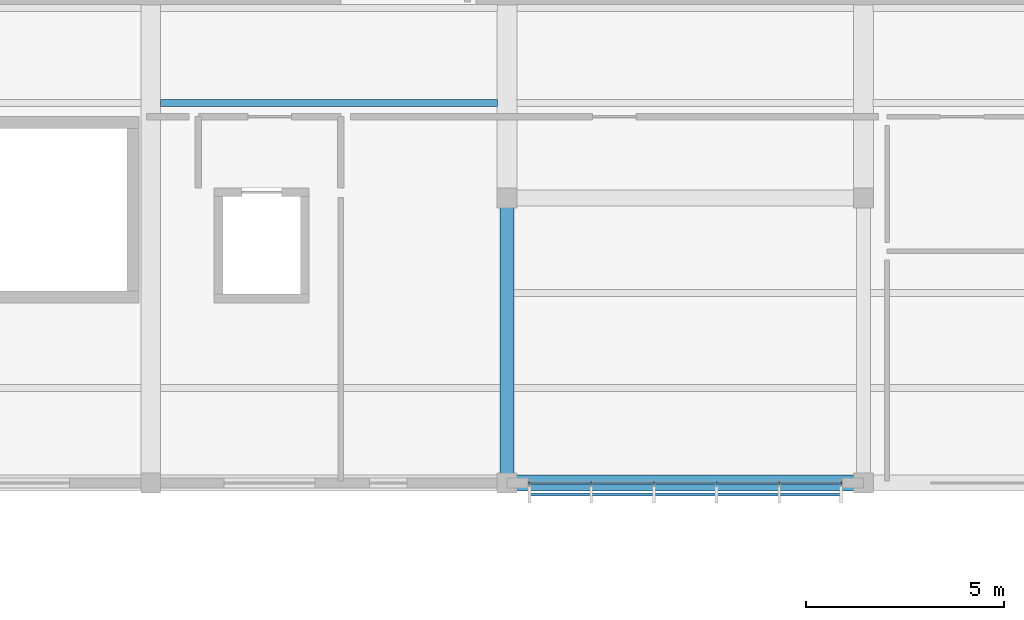
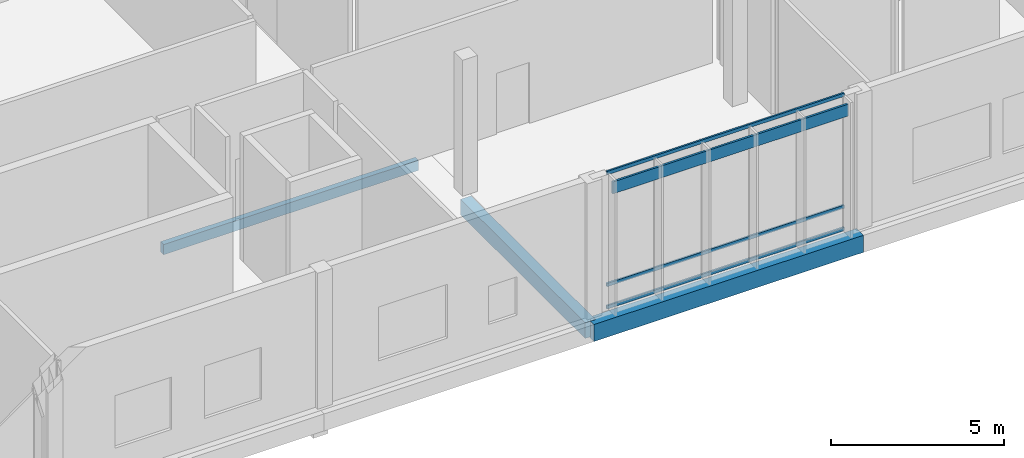
# One storey, part 46 of 177: 4 members, 3 beams, 1 element without a shape of its own.
"""IFC4 building model written with IfcOpenShell, lengths in metres."""

from ifc_helpers import new_model, si_unit, direction, frame, origin, origin_2d, place, context, subcontext, project, spatial, rectangle, hollow_rectangle, extrude, material, material_profile, profile_set, type_object, element, aggregate, save


model = new_model("IFC4")

# Units and contexts
model_context = context("Model", 3, precision=1e-05, world=origin(), true_north=direction((0.0, 1.0)))
body_context = subcontext(model_context, "Body", "Model", "MODEL_VIEW")
ifc_project = project(units=[si_unit("LENGTHUNIT", "METRE"), si_unit("AREAUNIT", "SQUARE_METRE"), si_unit("VOLUMEUNIT", "CUBIC_METRE"), si_unit("PLANEANGLEUNIT", "RADIAN"), si_unit("MASSUNIT", "GRAM", prefix="KILO")], contexts=[model_context])

# Site, building, storey
site_placement = place(None, origin())
site = spatial("IfcSite", under=ifc_project, at=site_placement, CompositionType="ELEMENT")
building_placement = place(site_placement, origin())
building = spatial("IfcBuilding", under=site, at=building_placement, Name="Chiffa Square Polytechnic", CompositionType="ELEMENT")
storey_placement = place(building_placement, frame((0.0, 0.0, 4.800048828125)))
storey = spatial("IfcBuildingStorey", under=building, at=storey_placement, Name="L01", CompositionType="ELEMENT", Elevation=4.800048828125)

# Beams
ifc_material_1 = material(Name="Concrete C35/45", Category="concrete")
ifc_material_profile_1 = material_profile(ifc_material_1, rectangle(XDim=0.35009765625, YDim=0.550048828125, at=origin_2d()), Name="RC 350x550")
ifc_profile_set_1 = profile_set([ifc_material_profile_1], Name="Concrete C35/45")
beam_type_1 = type_object("IfcBeamType", Name="BM-RC-350X550", PredefinedType="BEAM", material=ifc_profile_set_1)
beam_1_placement = place(storey_placement, frame((75.60009765625, 21.60009765625, -0.554931640625), z_axis=(0.0, 1.0, 0.0), x_axis=(-1.0, 0.0, 0.0)))
element("IfcBeam", 1, at=beam_1_placement, inside=storey, type_object=beam_type_1, Name="Primary floor girder BM-V4-L01-Y-0756-0216", PredefinedType="BEAM", context=body_context, shape_type="SweptSolid", body=[
    extrude(rectangle(XDim=0.35009765625, YDim=0.550048828125, at=origin_2d()), origin(), (0.0, 0.0, 1.0), 7.199951171875),
])
ifc_material_profile_2 = material_profile(ifc_material_1, rectangle(XDim=0.39990234375, YDim=0.60009765625, at=origin_2d()), Name="RC 400x600")
ifc_profile_set_2 = profile_set([ifc_material_profile_2], Name="Concrete C35/45")
beam_type_2 = type_object("IfcBeamType", Name="BM-RC-400X600", PredefinedType="BEAM", material=ifc_profile_set_2)
beam_2_placement = place(storey_placement, frame((75.60009765625, 21.60009765625, -0.580078125), z_axis=(1.0, 0.0, 0.0), x_axis=(0.0, 1.0, 0.0)))
element("IfcBeam", 2, at=beam_2_placement, inside=storey, type_object=beam_type_2, Name="Primary floor girder BM-V4-L01-X-0756-0216", PredefinedType="BEAM", context=body_context, shape_type="SweptSolid", body=[
    extrude(rectangle(XDim=0.39990234375, YDim=0.60009765625, at=origin_2d()), origin(), (0.0, 0.0, 1.0), 9.0),
])

# Curtain wall, members
ifc_material_2 = material(Name="Aluminium EN AW-6060 T66 and glulam shading", Category="wood")
curtain_wall_type = type_object("IfcCurtainWallType", Name="CW-VERT-450X440", PredefinedType="USERDEFINED", material=ifc_material_2)
curtain_wall_placement = place(storey_placement, origin())
curtain_wall = element("IfcCurtainWall", 3, at=curtain_wall_placement, inside=storey, type_object=curtain_wall_type, Name="Curtain wall CW-V4-L01-184", ObjectType="CURTAIN WALL", PredefinedType="USERDEFINED")
ifc_material_3 = material(Name="Aluminium EN AW-6060 T66", Category="aluminium")
ifc_material_profile_3 = material_profile(ifc_material_3, hollow_rectangle(XDim=0.06005859375, YDim=0.1201171875, WallThickness=0.00390625, at=origin_2d()), Name="ALU 60x120x4")
ifc_profile_set_3 = profile_set([ifc_material_profile_3], Name="Aluminium EN AW-6060 T66")
member_type_1 = type_object("IfcMemberType", Name="CWT-ALU-65X120", PredefinedType="USERDEFINED", material=ifc_profile_set_3)
member_1_placement = place(storey_placement, frame((76.137939453125, 21.60009765625, 0.030029296875), z_axis=(1.0, 0.0, 0.0), x_axis=(0.0, 1.0, 0.0)))
member_1 = element("IfcMember", 4, at=member_1_placement, type_object=member_type_1, Name="Curtain wall transom CW-V4-L01-184-T01", ObjectType="TRANSOM", PredefinedType="USERDEFINED", context=body_context, shape_type="SweptSolid", body=[
    extrude(hollow_rectangle(XDim=0.06005859375, YDim=0.1201171875, WallThickness=0.00390625, at=origin_2d()), origin(), (0.0, 0.0, 1.0), 7.924072265625),
])
member_2_placement = place(storey_placement, frame((76.137939453125, 21.60009765625, 0.820068359375), z_axis=(1.0, 0.0, 0.0), x_axis=(0.0, 1.0, 0.0)))
member_2 = element("IfcMember", 5, at=member_2_placement, type_object=member_type_1, Name="Curtain wall transom CW-V4-L01-184-T02", ObjectType="TRANSOM", PredefinedType="USERDEFINED", context=body_context, shape_type="SweptSolid", body=[
    extrude(hollow_rectangle(XDim=0.06005859375, YDim=0.1201171875, WallThickness=0.00390625, at=origin_2d()), origin(), (0.0, 0.0, 1.0), 7.924072265625),
])
member_3_placement = place(storey_placement, frame((76.137939453125, 21.60009765625, 4.77001953125), z_axis=(1.0, 0.0, 0.0), x_axis=(0.0, 1.0, 0.0)))
member_3 = element("IfcMember", 6, at=member_3_placement, type_object=member_type_1, Name="Curtain wall transom CW-V4-L01-184-T03", ObjectType="TRANSOM", PredefinedType="USERDEFINED", context=body_context, shape_type="SweptSolid", body=[
    extrude(hollow_rectangle(XDim=0.06005859375, YDim=0.1201171875, WallThickness=0.00390625, at=origin_2d()), origin(), (0.0, 0.0, 1.0), 7.924072265625),
])
ifc_material_4 = material(Name="Glulam GL28h", Category="wood")
ifc_material_profile_4 = material_profile(ifc_material_4, rectangle(XDim=0.070068359375, YDim=0.419921875, at=origin_2d()), Name="GL28h 70x420")
ifc_profile_set_4 = profile_set([ifc_material_profile_4], Name="Glulam GL28h")
member_type_2 = type_object("IfcMemberType", Name="CWT-GL-70X420", PredefinedType="USERDEFINED", material=ifc_profile_set_4)
member_4_placement = place(storey_placement, frame((76.1650390625, 21.30810546875, 4.419921875), z_axis=(1.0, 0.0, 0.0), x_axis=(0.0, 1.0, 0.0)))
member_4 = element("IfcMember", 7, at=member_4_placement, type_object=member_type_2, Name="Exterior glulam brise-soleil CW-V4-L01-184-BS01", ObjectType="TRANSOM", PredefinedType="USERDEFINED", context=body_context, shape_type="SweptSolid", body=[
    extrude(rectangle(XDim=0.070068359375, YDim=0.419921875, at=origin_2d()), origin(), (0.0, 0.0, 1.0), 7.869873046875),
])
aggregate(curtain_wall, [member_1, member_2, member_3, member_4])

# Beam
ifc_material_profile_5 = material_profile(ifc_material_4, rectangle(XDim=0.179931640625, YDim=0.360107421875, at=origin_2d()), Name="GL28h 180x360")
ifc_profile_set_5 = profile_set([ifc_material_profile_5], Name="Glulam GL28h")
beam_type_3 = type_object("IfcBeamType", Name="JST-GL-180X360", PredefinedType="JOIST", material=ifc_profile_set_5)
beam_3_placement = place(storey_placement, frame((66.847900390625, 31.199951171875, -0.4599609375), z_axis=(1.0, 0.0, 0.0), x_axis=(0.0, 1.0, 0.0)))
element("IfcBeam", 8, at=beam_3_placement, inside=storey, type_object=beam_type_3, Name="Secondary floor joist JST-V4-L01-0666-0312", PredefinedType="JOIST", context=body_context, shape_type="SweptSolid", body=[
    extrude(rectangle(XDim=0.179931640625, YDim=0.360107421875, at=origin_2d()), origin(), (0.0, 0.0, 1.0), 8.504150390625),
])

save(model, "model.ifc")
